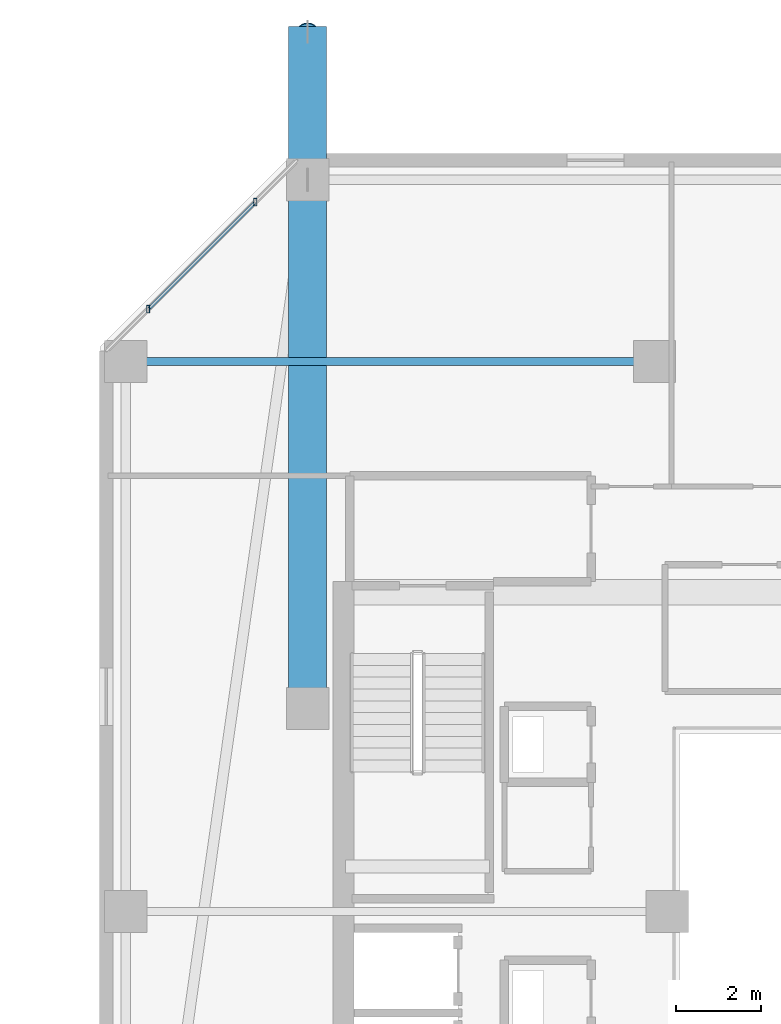
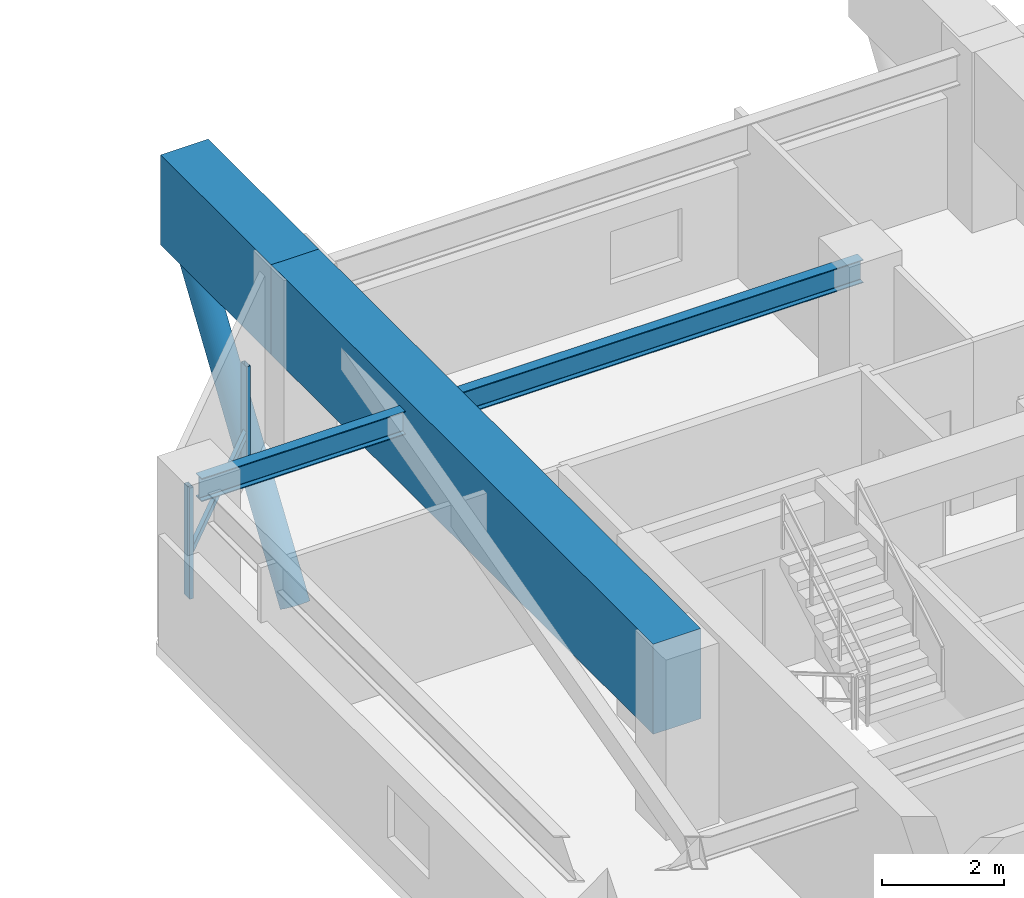
# One storey, part 14 of 34: 4 members, 3 beams, 1 element without a shape of its own.
"""IFC4 building model written with IfcOpenShell, lengths in metres."""

from ifc_helpers import new_model, si_unit, direction, frame, origin, origin_2d, place, context, subcontext, project, spatial, rectangle, hollow_rectangle, hollow_circle, i_section, extrude, material, material_profile, profile_set, type_object, element, aggregate, save


model = new_model("IFC4")

# Units and contexts
model_context = context("Model", 3, precision=1e-05, world=origin(), true_north=direction((0.0, 1.0)))
body_context = subcontext(model_context, "Body", "Model", "MODEL_VIEW")
ifc_project = project(units=[si_unit("LENGTHUNIT", "METRE"), si_unit("AREAUNIT", "SQUARE_METRE"), si_unit("VOLUMEUNIT", "CUBIC_METRE"), si_unit("PLANEANGLEUNIT", "RADIAN"), si_unit("MASSUNIT", "GRAM", prefix="KILO")], contexts=[model_context])

# Site, building, storey
site_placement = place(None, origin())
site = spatial("IfcSite", under=ifc_project, at=site_placement, CompositionType="ELEMENT")
building_placement = place(site_placement, origin())
building = spatial("IfcBuilding", under=site, at=building_placement, Name="Thornwick Lancets Civic Towers", CompositionType="ELEMENT")
storey_placement = place(building_placement, frame((0.0, 0.0, 251.10009765625)))
storey = spatial("IfcBuildingStorey", under=building, at=storey_placement, Name="L67", CompositionType="ELEMENT", Elevation=251.10009765625)

# Beams
ifc_material_1 = material(Name="Steel S355JR", Category="steel")
ifc_material_profile_1 = material_profile(ifc_material_1, i_section(OverallWidth=0.19189453125, OverallDepth=0.46337890625, WebThickness=0.010498046875, FlangeThickness=0.017578125, FilletRadius=0.01025390625, at=origin_2d()), Name="UKB 457x191x89")
ifc_profile_set_1 = profile_set([ifc_material_profile_1], Name="Steel S355JR")
beam_type_1 = type_object("IfcBeamType", Name="BM_JOIST_457_89", PredefinedType="JOIST", material=ifc_profile_set_1)
beam_1_placement = place(storey_placement, frame((83.699951171875, 40.0, 3.108154296875), z_axis=(-1.0, 0.0, 0.0), x_axis=(0.0, -1.0, 0.0)))
element("IfcBeam", 1, at=beam_1_placement, inside=storey, type_object=beam_type_1, Name="BM-RADIN-L67-B09", PredefinedType="JOIST", context=body_context, shape_type="SweptSolid", body=[
    extrude(i_section(OverallWidth=0.19189453125, OverallDepth=0.46337890625, WebThickness=0.010498046875, FlangeThickness=0.017578125, FilletRadius=0.01025390625, at=origin_2d()), origin(), (0.0, 0.0, 1.0), 12.5),
])
ifc_material_2 = material(Name="Concrete C60/75", Category="concrete")
ifc_material_profile_2 = material_profile(ifc_material_2, rectangle(XDim=0.89990234375, YDim=1.800048828125, at=origin_2d()), Name="RC 900x1800")
ifc_profile_set_2 = profile_set([ifc_material_profile_2], Name="Concrete C60/75")
beam_type_2 = type_object("IfcBeamType", Name="BM_TR_RC1800", PredefinedType="BEAM", material=ifc_profile_set_2)
beam_2_placement = place(storey_placement, frame((75.5, 31.800048828125, 2.699951171875), z_axis=(0.0, 1.0, 0.0), x_axis=(-1.0, 0.0, 0.0)))
element("IfcBeam", 2, at=beam_2_placement, inside=storey, type_object=beam_type_2, Name="TG-BACK-L68-B06", PredefinedType="BEAM", context=body_context, shape_type="SweptSolid", body=[
    extrude(rectangle(XDim=0.89990234375, YDim=1.800048828125, at=origin_2d()), origin(), (0.0, 0.0, 1.0), 12.5),
])
beam_3_placement = place(storey_placement, frame((75.5, 44.300048828125, 2.699951171875), z_axis=(0.0, 1.0, 0.0), x_axis=(-1.0, 0.0, 0.0)))
element("IfcBeam", 3, at=beam_3_placement, inside=storey, type_object=beam_type_2, Name="TG-CANT-L68-B06", PredefinedType="BEAM", context=body_context, shape_type="SweptSolid", body=[
    extrude(rectangle(XDim=0.89990234375, YDim=1.800048828125, at=origin_2d()), origin(), (0.0, 0.0, 1.0), 3.619873046875),
])

# Curtain wall, members
ifc_material_3 = material(Name="High-zone chamfered-corner unitised glass curtain wall", Category="glass")
curtain_wall_type = type_object("IfcCurtainWallType", Name="CW_SYS_05", PredefinedType="NOTDEFINED", material=ifc_material_3)
curtain_wall_placement = place(storey_placement, origin())
curtain_wall = element("IfcCurtainWall", 4, at=curtain_wall_placement, inside=storey, type_object=curtain_wall_type, Name="L67 Curtain Wall CW-L67-B-E5", PredefinedType="NOTDEFINED")
ifc_material_4 = material(Name="Thermally broken bronze aluminium S355", Category="steel")
ifc_material_profile_3 = material_profile(ifc_material_4, hollow_rectangle(XDim=0.074951171875, YDim=0.179931640625, WallThickness=0.006103515625, at=origin_2d()), Name="RHS 180x75x6")
ifc_profile_set_3 = profile_set([ifc_material_profile_3], Name="Thermally broken bronze aluminium S355")
member_type_1 = type_object("IfcMemberType", Name="CW_MUL_180", PredefinedType="MULLION", material=ifc_profile_set_3)
member_1_placement = place(storey_placement, frame((74.261474609375, 43.770751953125, 0.0), z_axis=(0.0, 0.0, 1.0), x_axis=(1.0, 0.0, 0.0)))
member_1 = element("IfcMember", 5, at=member_1_placement, type_object=member_type_1, Name="CW-L67-B-E5 Mullion 0", PredefinedType="MULLION", context=body_context, shape_type="SweptSolid", body=[
    extrude(hollow_rectangle(XDim=0.074951171875, YDim=0.179931640625, WallThickness=0.006103515625, at=origin_2d()), origin(), (0.0, 0.0, 1.0), 2.219970703125),
])
member_2_placement = place(storey_placement, frame((71.729248046875, 41.238525390625, 0.0), z_axis=(0.0, 0.0, 1.0), x_axis=(1.0, 0.0, 0.0)))
member_2 = element("IfcMember", 6, at=member_2_placement, type_object=member_type_1, Name="CW-L67-B-E5 Mullion 1", PredefinedType="MULLION", context=body_context, shape_type="SweptSolid", body=[
    extrude(hollow_rectangle(XDim=0.074951171875, YDim=0.179931640625, WallThickness=0.006103515625, at=origin_2d()), origin(), (0.0, 0.0, 1.0), 2.219970703125),
])
ifc_material_profile_4 = material_profile(ifc_material_4, hollow_rectangle(XDim=0.074951171875, YDim=0.14990234375, WallThickness=0.0048828125, at=origin_2d()), Name="RHS 150x75x5")
ifc_profile_set_4 = profile_set([ifc_material_profile_4], Name="Thermally broken bronze aluminium S355")
member_type_2 = type_object("IfcMemberType", Name="CW_TRN_150", PredefinedType="USERDEFINED", material=ifc_profile_set_4)
member_3_placement = place(storey_placement, frame((74.247314453125, 43.756591796875, 0.849853515625), z_axis=(-0.707106781187, -0.707106781187, 0.0), x_axis=(0.707106781187, -0.707106781187, 0.0)))
member_3 = element("IfcMember", 7, at=member_3_placement, type_object=member_type_2, Name="CW-L67-B-E5 Transom 0", ObjectType="TRANSOM", PredefinedType="USERDEFINED", context=body_context, shape_type="SweptSolid", body=[
    extrude(hollow_rectangle(XDim=0.074951171875, YDim=0.14990234375, WallThickness=0.0048828125, at=origin_2d()), origin(), (0.0, 0.0, 1.0), 3.541015625),
])
aggregate(curtain_wall, [member_1, member_2, member_3])

# Member
ifc_material_5 = material(Name="Steel S460M", Category="steel")
ifc_material_profile_5 = material_profile(ifc_material_5, hollow_circle(Radius=0.25390625, WallThickness=0.02490234375, at=origin_2d()), Name="CHS 508x25")
ifc_profile_set_5 = profile_set([ifc_material_profile_5], Name="Steel S460M")
member_type_3 = type_object("IfcMemberType", Name="MEM_STRUT_CHS508", PredefinedType="STRUT", material=ifc_profile_set_5)
member_4_placement = place(storey_placement, frame((75.5, 44.300048828125, -3.35009765625), z_axis=(0.0, 0.556167580628, 0.831070166868), x_axis=(-1.0, 0.0, 0.0)))
element("IfcMember", 8, at=member_4_placement, inside=storey, type_object=member_type_3, Name="L68 Jenga Transfer Raking Strut B06", PredefinedType="STRUT", context=body_context, shape_type="SweptSolid", body=[
    extrude(hollow_circle(Radius=0.25390625, WallThickness=0.02490234375, at=origin_2d()), origin(), (0.0, 0.0, 1.0), 6.29296875),
])

save(model, "model.ifc")
